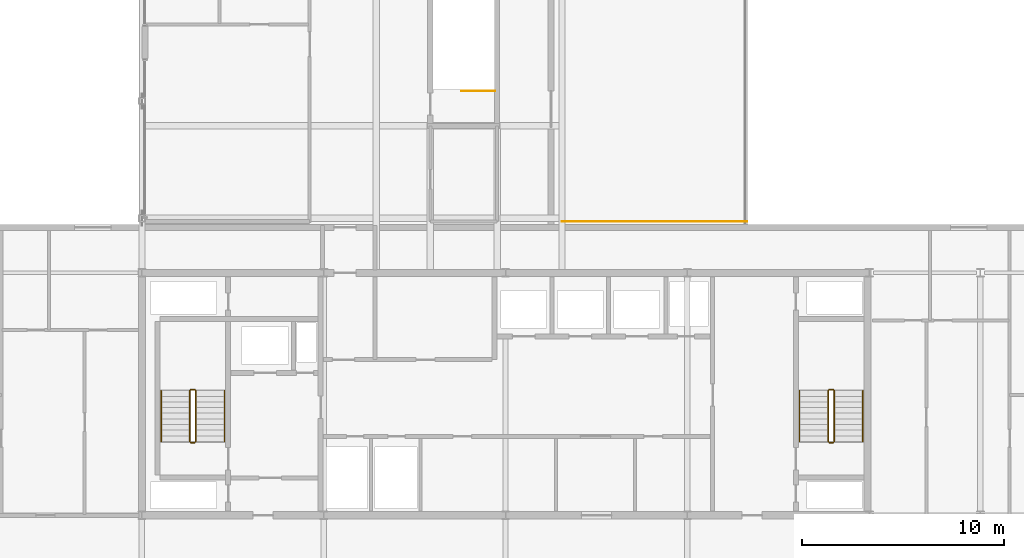
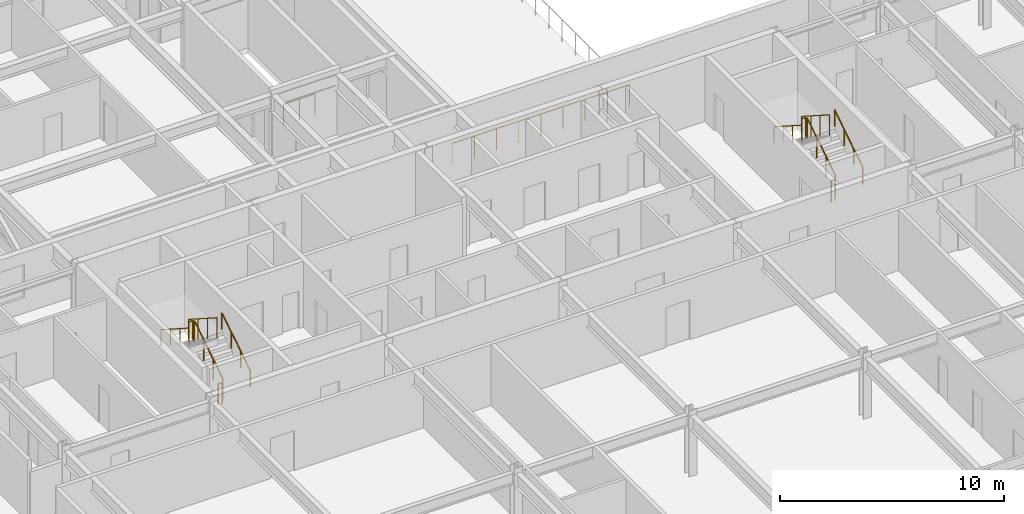
# One storey, part 25 of 28: 14 railings.
"""IFC4 building model written with IfcOpenShell, lengths in metres."""

from ifc_helpers import new_model, si_unit, direction, frame, origin, origin_2d, place, context, subcontext, project, spatial, circle, extrude, material, type_object, element, save


model = new_model("IFC4")

# Units and contexts
model_context = context("Model", 3, precision=1e-05, world=origin(), true_north=direction((0.0, 1.0)))
body_context = subcontext(model_context, "Body", "Model", "MODEL_VIEW")
ifc_project = project(units=[si_unit("LENGTHUNIT", "METRE"), si_unit("AREAUNIT", "SQUARE_METRE"), si_unit("VOLUMEUNIT", "CUBIC_METRE"), si_unit("PLANEANGLEUNIT", "RADIAN"), si_unit("MASSUNIT", "GRAM", prefix="KILO")], contexts=[model_context])

# Site, building, storey
site_placement = place(None, origin())
site = spatial("IfcSite", under=ifc_project, at=site_placement, CompositionType="ELEMENT")
building_placement = place(site_placement, origin())
building = spatial("IfcBuilding", under=site, at=building_placement, Name="Korimba Cascade Residences", CompositionType="ELEMENT")
storey_placement = place(building_placement, frame((0.0, 0.0, 153.699951171875)))
storey = spatial("IfcBuildingStorey", under=building, at=storey_placement, Name="L44", CompositionType="ELEMENT", Elevation=153.699951171875)

# Railings
ifc_material_1 = material(Name="Structural Laminated Glass Sky-Pool Barrier", Category="glass")
railing_type_1 = type_object("IfcRailingType", Name="RLG-POOL-1200", PredefinedType="BALUSTRADE", material=ifc_material_1)
railing_1_placement = place(storey_placement, frame((102.89990234375, 32.93994140625, 0.0)))
element("IfcRailing", 1, at=railing_1_placement, inside=storey, type_object=railing_type_1, Name="L44 Perimeter Guardrail RLG-L44-POOL-01", PredefinedType="BALUSTRADE", context=body_context, shape_type="SweptSolid", body=[
    extrude(circle(Radius=0.02392578125, at=origin_2d()), frame((0.0, 0.0, 1.17578125), z_axis=(1.0, 0.0, 0.0), x_axis=(0.0, 1.0, 0.0)), (0.0, 0.0, 1.0), 9.14013671875),
    extrude(circle(Radius=0.02099609375, at=origin_2d()), origin(), (0.0, 0.0, 1.0), 1.15185546875),
    extrude(circle(Radius=0.02099609375, at=origin_2d()), frame((1.142578125, 0.0, 0.0)), (0.0, 0.0, 1.0), 1.15185546875),
    extrude(circle(Radius=0.02099609375, at=origin_2d()), frame((2.28515625, 0.0, 0.0)), (0.0, 0.0, 1.0), 1.15185546875),
    extrude(circle(Radius=0.02099609375, at=origin_2d()), frame((3.427490234375, 0.0, 0.0)), (0.0, 0.0, 1.0), 1.15185546875),
    extrude(circle(Radius=0.02099609375, at=origin_2d()), frame((4.570068359375, 0.0, 0.0)), (0.0, 0.0, 1.0), 1.15185546875),
    extrude(circle(Radius=0.02099609375, at=origin_2d()), frame((5.712646484375, 0.0, 0.0)), (0.0, 0.0, 1.0), 1.15185546875),
    extrude(circle(Radius=0.02099609375, at=origin_2d()), frame((6.85498046875, 0.0, 0.0)), (0.0, 0.0, 1.0), 1.15185546875),
    extrude(circle(Radius=0.02099609375, at=origin_2d()), frame((7.99755859375, 0.0, 0.0)), (0.0, 0.0, 1.0), 1.15185546875),
    extrude(circle(Radius=0.02099609375, at=origin_2d()), frame((9.14013671875, 0.0, 0.0)), (0.0, 0.0, 1.0), 1.15185546875),
])
ifc_material_2 = material(Name="Painted Steel Stairwell Guardrail", Category="steel")
railing_type_2 = type_object("IfcRailingType", Name="RLG-ST-GD1150", PredefinedType="GUARDRAIL", material=ifc_material_2)
railing_2_placement = place(storey_placement, frame((84.77001953125, 22.050048828125, 0.179931640625)))
element("IfcRailing", 2, at=railing_2_placement, inside=storey, type_object=railing_type_2, Name="L44 ST-E1 stair guard 1", PredefinedType="GUARDRAIL", context=body_context, shape_type="SweptSolid", body=[
    extrude(circle(Radius=0.02392578125, at=origin_2d()), frame((0.0, 0.0, 1.1259765625), z_axis=(0.0, 0.841162588446, 0.540782303519), x_axis=(-1.0, 0.0, 0.0)), (0.0, 0.0, 1.0), 2.995849609375),
    extrude(circle(Radius=0.02099609375, at=origin_2d()), origin(), (0.0, 0.0, 1.0), 1.101806640625),
    extrude(circle(Radius=0.02099609375, at=origin_2d()), frame((0.0, 0.840087890625, 0.5400390625)), (0.0, 0.0, 1.0), 1.101806640625),
    extrude(circle(Radius=0.02099609375, at=origin_2d()), frame((0.0, 1.679931640625, 1.080078125)), (0.0, 0.0, 1.0), 1.101806640625),
    extrude(circle(Radius=0.02099609375, at=origin_2d()), frame((0.0, 2.52001953125, 1.6201171875)), (0.0, 0.0, 1.0), 1.101806640625),
])
railing_3_placement = place(storey_placement, frame((84.719970703125, 24.6201171875, 1.800048828125)))
element("IfcRailing", 3, at=railing_3_placement, inside=storey, type_object=railing_type_2, Name="L44 ST-E1 stair guard 2", PredefinedType="GUARDRAIL", context=body_context, shape_type="SweptSolid", body=[
    extrude(circle(Radius=0.02392578125, at=origin_2d()), frame((0.0, 0.0, 1.1259765625), z_axis=(-1.0, 0.0, 0.0), x_axis=(0.0, -1.0, 0.0)), (0.0, 0.0, 1.0), 0.199951171875),
    extrude(circle(Radius=0.02099609375, at=origin_2d()), origin(), (0.0, 0.0, 1.0), 1.101806640625),
    extrude(circle(Radius=0.02099609375, at=origin_2d()), frame((-0.199951171875, 0.0, 0.0)), (0.0, 0.0, 1.0), 1.101806640625),
])
railing_4_placement = place(storey_placement, frame((84.469970703125, 24.570068359375, 1.97998046875)))
element("IfcRailing", 4, at=railing_4_placement, inside=storey, type_object=railing_type_2, Name="L44 ST-E1 stair guard 3", PredefinedType="GUARDRAIL", context=body_context, shape_type="SweptSolid", body=[
    extrude(circle(Radius=0.02392578125, at=origin_2d()), frame((0.0, 0.0, 1.1259765625), z_axis=(0.0, -0.841162588446, 0.540782303519), x_axis=(1.0, 0.0, 0.0)), (0.0, 0.0, 1.0), 2.995849609375),
    extrude(circle(Radius=0.02099609375, at=origin_2d()), origin(), (0.0, 0.0, 1.0), 1.101806640625),
    extrude(circle(Radius=0.02099609375, at=origin_2d()), frame((0.0, -0.840087890625, 0.5400390625)), (0.0, 0.0, 1.0), 1.101806640625),
    extrude(circle(Radius=0.02099609375, at=origin_2d()), frame((0.0, -1.679931640625, 1.080078125)), (0.0, 0.0, 1.0), 1.101806640625),
    extrude(circle(Radius=0.02099609375, at=origin_2d()), frame((0.0, -2.52001953125, 1.6201171875)), (0.0, 0.0, 1.0), 1.101806640625),
])
railing_5_placement = place(storey_placement, frame((84.719970703125, 22.0, 0.0)))
element("IfcRailing", 5, at=railing_5_placement, inside=storey, type_object=railing_type_2, Name="L44 ST-E1 stair guard 4", PredefinedType="GUARDRAIL", context=body_context, shape_type="SweptSolid", body=[
    extrude(circle(Radius=0.02392578125, at=origin_2d()), frame((0.0, 0.0, 1.1259765625), z_axis=(-1.0, 0.0, 0.0), x_axis=(0.0, -1.0, 0.0)), (0.0, 0.0, 1.0), 0.199951171875),
    extrude(circle(Radius=0.02099609375, at=origin_2d()), origin(), (0.0, 0.0, 1.0), 1.101806640625),
    extrude(circle(Radius=0.02099609375, at=origin_2d()), frame((-0.199951171875, 0.0, 0.0)), (0.0, 0.0, 1.0), 1.101806640625),
])
railing_6_placement = place(storey_placement, frame((116.3701171875, 22.050048828125, 0.179931640625)))
element("IfcRailing", 6, at=railing_6_placement, inside=storey, type_object=railing_type_2, Name="L44 ST-E2 stair guard 1", PredefinedType="GUARDRAIL", context=body_context, shape_type="SweptSolid", body=[
    extrude(circle(Radius=0.02392578125, at=origin_2d()), frame((0.0, 0.0, 1.1259765625), z_axis=(0.0, 0.841162588446, 0.540782303519), x_axis=(-1.0, 0.0, 0.0)), (0.0, 0.0, 1.0), 2.995849609375),
    extrude(circle(Radius=0.02099609375, at=origin_2d()), origin(), (0.0, 0.0, 1.0), 1.101806640625),
    extrude(circle(Radius=0.02099609375, at=origin_2d()), frame((0.0, 0.840087890625, 0.5400390625)), (0.0, 0.0, 1.0), 1.101806640625),
    extrude(circle(Radius=0.02099609375, at=origin_2d()), frame((0.0, 1.679931640625, 1.080078125)), (0.0, 0.0, 1.0), 1.101806640625),
    extrude(circle(Radius=0.02099609375, at=origin_2d()), frame((0.0, 2.52001953125, 1.6201171875)), (0.0, 0.0, 1.0), 1.101806640625),
])
railing_7_placement = place(storey_placement, frame((116.320068359375, 24.6201171875, 1.800048828125)))
element("IfcRailing", 7, at=railing_7_placement, inside=storey, type_object=railing_type_2, Name="L44 ST-E2 stair guard 2", PredefinedType="GUARDRAIL", context=body_context, shape_type="SweptSolid", body=[
    extrude(circle(Radius=0.02392578125, at=origin_2d()), frame((0.0, 0.0, 1.1259765625), z_axis=(-1.0, 0.0, 0.0), x_axis=(0.0, -1.0, 0.0)), (0.0, 0.0, 1.0), 0.199951171875),
    extrude(circle(Radius=0.02099609375, at=origin_2d()), origin(), (0.0, 0.0, 1.0), 1.101806640625),
    extrude(circle(Radius=0.02099609375, at=origin_2d()), frame((-0.199951171875, 0.0, 0.0)), (0.0, 0.0, 1.0), 1.101806640625),
])
railing_8_placement = place(storey_placement, frame((116.070068359375, 24.570068359375, 1.97998046875)))
element("IfcRailing", 8, at=railing_8_placement, inside=storey, type_object=railing_type_2, Name="L44 ST-E2 stair guard 3", PredefinedType="GUARDRAIL", context=body_context, shape_type="SweptSolid", body=[
    extrude(circle(Radius=0.02392578125, at=origin_2d()), frame((0.0, 0.0, 1.1259765625), z_axis=(0.0, -0.841162588446, 0.540782303519), x_axis=(1.0, 0.0, 0.0)), (0.0, 0.0, 1.0), 2.995849609375),
    extrude(circle(Radius=0.02099609375, at=origin_2d()), origin(), (0.0, 0.0, 1.0), 1.101806640625),
    extrude(circle(Radius=0.02099609375, at=origin_2d()), frame((0.0, -0.840087890625, 0.5400390625)), (0.0, 0.0, 1.0), 1.101806640625),
    extrude(circle(Radius=0.02099609375, at=origin_2d()), frame((0.0, -1.679931640625, 1.080078125)), (0.0, 0.0, 1.0), 1.101806640625),
    extrude(circle(Radius=0.02099609375, at=origin_2d()), frame((0.0, -2.52001953125, 1.6201171875)), (0.0, 0.0, 1.0), 1.101806640625),
])
railing_9_placement = place(storey_placement, frame((116.320068359375, 22.0, 0.0)))
element("IfcRailing", 9, at=railing_9_placement, inside=storey, type_object=railing_type_2, Name="L44 ST-E2 stair guard 4", PredefinedType="GUARDRAIL", context=body_context, shape_type="SweptSolid", body=[
    extrude(circle(Radius=0.02392578125, at=origin_2d()), frame((0.0, 0.0, 1.1259765625), z_axis=(-1.0, 0.0, 0.0), x_axis=(0.0, -1.0, 0.0)), (0.0, 0.0, 1.0), 0.199951171875),
    extrude(circle(Radius=0.02099609375, at=origin_2d()), origin(), (0.0, 0.0, 1.0), 1.101806640625),
    extrude(circle(Radius=0.02099609375, at=origin_2d()), frame((-0.199951171875, 0.0, 0.0)), (0.0, 0.0, 1.0), 1.101806640625),
])
railing_10_placement = place(storey_placement, frame((99.56005859375, 39.39990234375, 0.0)))
element("IfcRailing", 10, at=railing_10_placement, inside=storey, type_object=railing_type_2, Name="L44 ST-BR1 top well guard 1", PredefinedType="GUARDRAIL", context=body_context, shape_type="SweptSolid", body=[
    extrude(circle(Radius=0.02392578125, at=origin_2d()), frame((0.0, 0.0, 1.1259765625), z_axis=(-1.0, 0.0, 0.0), x_axis=(0.0, -1.0, 0.0)), (0.0, 0.0, 1.0), 1.630126953125),
    extrude(circle(Radius=0.02099609375, at=origin_2d()), origin(), (0.0, 0.0, 1.0), 1.101806640625),
    extrude(circle(Radius=0.02099609375, at=origin_2d()), frame((-0.81494140625, 0.0, 0.0)), (0.0, 0.0, 1.0), 1.101806640625),
    extrude(circle(Radius=0.02099609375, at=origin_2d()), frame((-1.630126953125, 0.0, 0.0)), (0.0, 0.0, 1.0), 1.101806640625),
])
ifc_material_3 = material(Name="Brushed Stainless Steel Handrail", Category="steel")
railing_type_3 = type_object("IfcRailingType", Name="RLG-ST-HR900", PredefinedType="HANDRAIL", material=ifc_material_3)
railing_11_placement = place(storey_placement, frame((86.18994140625, 22.050048828125, 0.36376953125)))
element("IfcRailing", 11, at=railing_11_placement, inside=storey, type_object=railing_type_3, Name="L44 ST-E1 stair handrail 1", PredefinedType="HANDRAIL", context=body_context, shape_type="SweptSolid", body=[
    extrude(circle(Radius=0.02392578125, at=origin_2d()), frame((0.0, 0.0, 0.8759765625), z_axis=(0.0, 0.841162588446, 0.540782303519), x_axis=(-1.0, 0.0, 0.0)), (0.0, 0.0, 1.0), 2.995849609375),
    extrude(circle(Radius=0.02099609375, at=origin_2d()), origin(), (0.0, 0.0, 1.0), 0.851806640625),
    extrude(circle(Radius=0.02099609375, at=origin_2d()), frame((0.0, 0.840087890625, 0.5400390625)), (0.0, 0.0, 1.0), 0.851806640625),
    extrude(circle(Radius=0.02099609375, at=origin_2d()), frame((0.0, 1.679931640625, 1.080078125)), (0.0, 0.0, 1.0), 0.851806640625),
    extrude(circle(Radius=0.02099609375, at=origin_2d()), frame((0.0, 2.52001953125, 1.6201171875)), (0.0, 0.0, 1.0), 0.851806640625),
])
railing_12_placement = place(storey_placement, frame((83.050048828125, 24.570068359375, 2.163818359375)))
element("IfcRailing", 12, at=railing_12_placement, inside=storey, type_object=railing_type_3, Name="L44 ST-E1 stair handrail 2", PredefinedType="HANDRAIL", context=body_context, shape_type="SweptSolid", body=[
    extrude(circle(Radius=0.02392578125, at=origin_2d()), frame((0.0, 0.0, 0.8759765625), z_axis=(0.0, -0.841162588446, 0.540782303519), x_axis=(1.0, 0.0, 0.0)), (0.0, 0.0, 1.0), 2.995849609375),
    extrude(circle(Radius=0.02099609375, at=origin_2d()), origin(), (0.0, 0.0, 1.0), 0.851806640625),
    extrude(circle(Radius=0.02099609375, at=origin_2d()), frame((0.0, -0.840087890625, 0.5400390625)), (0.0, 0.0, 1.0), 0.851806640625),
    extrude(circle(Radius=0.02099609375, at=origin_2d()), frame((0.0, -1.679931640625, 1.080078125)), (0.0, 0.0, 1.0), 0.851806640625),
    extrude(circle(Radius=0.02099609375, at=origin_2d()), frame((0.0, -2.52001953125, 1.6201171875)), (0.0, 0.0, 1.0), 0.851806640625),
])
railing_13_placement = place(storey_placement, frame((117.7900390625, 22.050048828125, 0.36376953125)))
element("IfcRailing", 13, at=railing_13_placement, inside=storey, type_object=railing_type_3, Name="L44 ST-E2 stair handrail 1", PredefinedType="HANDRAIL", context=body_context, shape_type="SweptSolid", body=[
    extrude(circle(Radius=0.02392578125, at=origin_2d()), frame((0.0, 0.0, 0.8759765625), z_axis=(0.0, 0.841162588446, 0.540782303519), x_axis=(-1.0, 0.0, 0.0)), (0.0, 0.0, 1.0), 2.995849609375),
    extrude(circle(Radius=0.02099609375, at=origin_2d()), origin(), (0.0, 0.0, 1.0), 0.851806640625),
    extrude(circle(Radius=0.02099609375, at=origin_2d()), frame((0.0, 0.840087890625, 0.5400390625)), (0.0, 0.0, 1.0), 0.851806640625),
    extrude(circle(Radius=0.02099609375, at=origin_2d()), frame((0.0, 1.679931640625, 1.080078125)), (0.0, 0.0, 1.0), 0.851806640625),
    extrude(circle(Radius=0.02099609375, at=origin_2d()), frame((0.0, 2.52001953125, 1.6201171875)), (0.0, 0.0, 1.0), 0.851806640625),
])
railing_14_placement = place(storey_placement, frame((114.64990234375, 24.570068359375, 2.163818359375)))
element("IfcRailing", 14, at=railing_14_placement, inside=storey, type_object=railing_type_3, Name="L44 ST-E2 stair handrail 2", PredefinedType="HANDRAIL", context=body_context, shape_type="SweptSolid", body=[
    extrude(circle(Radius=0.02392578125, at=origin_2d()), frame((0.0, 0.0, 0.8759765625), z_axis=(0.0, -0.841162588446, 0.540782303519), x_axis=(1.0, 0.0, 0.0)), (0.0, 0.0, 1.0), 2.995849609375),
    extrude(circle(Radius=0.02099609375, at=origin_2d()), origin(), (0.0, 0.0, 1.0), 0.851806640625),
    extrude(circle(Radius=0.02099609375, at=origin_2d()), frame((0.0, -0.840087890625, 0.5400390625)), (0.0, 0.0, 1.0), 0.851806640625),
    extrude(circle(Radius=0.02099609375, at=origin_2d()), frame((0.0, -1.679931640625, 1.080078125)), (0.0, 0.0, 1.0), 0.851806640625),
    extrude(circle(Radius=0.02099609375, at=origin_2d()), frame((0.0, -2.52001953125, 1.6201171875)), (0.0, 0.0, 1.0), 0.851806640625),
])

save(model, "model.ifc")
